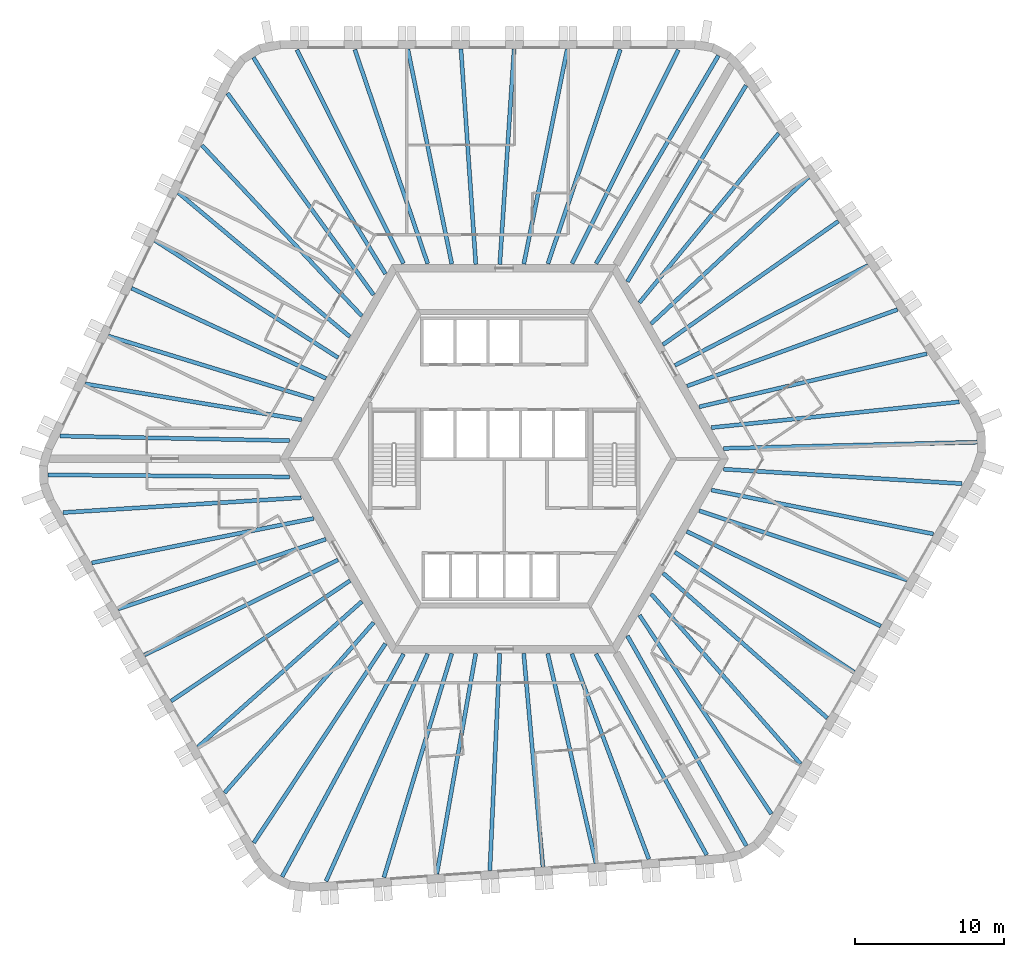
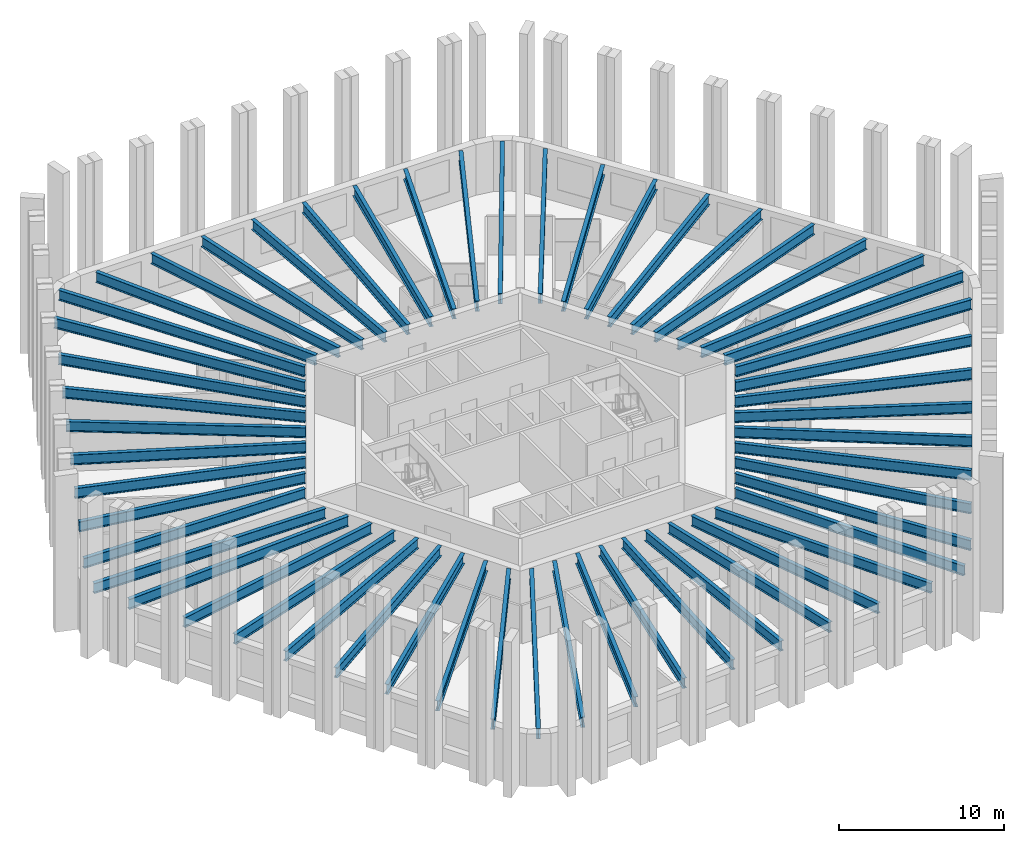
# One storey, part 1 of 10: 54 beams.
"""IFC4 building model written with IfcOpenShell, lengths in metres."""

from ifc_helpers import new_model, si_unit, direction, frame, origin, origin_2d, place, context, subcontext, project, spatial, i_section, extrude, material, material_profile, profile_set, type_object, element, save


model = new_model("IFC4")

# Units and contexts
model_context = context("Model", 3, precision=1e-05, world=origin(), true_north=direction((0.0, 1.0)))
body_context = subcontext(model_context, "Body", "Model", "MODEL_VIEW")
ifc_project = project(units=[si_unit("LENGTHUNIT", "METRE"), si_unit("AREAUNIT", "SQUARE_METRE"), si_unit("VOLUMEUNIT", "CUBIC_METRE"), si_unit("PLANEANGLEUNIT", "RADIAN"), si_unit("MASSUNIT", "GRAM", prefix="KILO")], contexts=[model_context])

# Site, building, storey
site_placement = place(None, origin())
site = spatial("IfcSite", under=ifc_project, at=site_placement, CompositionType="ELEMENT")
building_placement = place(site_placement, origin())
building = spatial("IfcBuilding", under=site, at=building_placement, Name="Tarnside Tower", CompositionType="ELEMENT")
storey_placement = place(building_placement, frame((0.0, 0.0, 238.5)))
storey = spatial("IfcBuildingStorey", under=building, at=storey_placement, Name="L57", CompositionType="ELEMENT", Elevation=238.5)

# Beams
ifc_material = material(Name="Steel S355", Category="steel")
ifc_material_profile_1 = material_profile(ifc_material, i_section(OverallWidth=0.26513671875, OverallDepth=0.75390625, WebThickness=0.0126953125, FlangeThickness=0.017578125, FilletRadius=0.0166015625, at=origin_2d()), Name="UB 762x267x147")
ifc_profile_set_1 = profile_set([ifc_material_profile_1], Name="Steel S355")
beam_type_1 = type_object("IfcBeamType", Name="Floor beam UB 762x267x147", PredefinedType="BEAM", material=ifc_profile_set_1)
beam_1_placement = place(storey_placement, frame((7.77001953125, 27.393310546875, 3.373046875), z_axis=(-0.320362579778, -0.947295000239, 0.0), x_axis=(0.947295000239, -0.320362579778, 0.0)))
element("IfcBeam", 1, at=beam_1_placement, inside=storey, type_object=beam_type_1, Name="Floor beam F1.02", PredefinedType="BEAM", context=body_context, shape_type="SweptSolid", body=[
    extrude(i_section(OverallWidth=0.26513671875, OverallDepth=0.75390625, WebThickness=0.0126953125, FlangeThickness=0.017578125, FilletRadius=0.0166015625, at=origin_2d()), origin(), (0.0, 0.0, 1.0), 15.134033203125),
])
beam_2_placement = place(storey_placement, frame((4.218505859375, 27.410888671875, 3.373046875), z_axis=(-0.19841777413, -0.980117537293, 0.0), x_axis=(0.980117537293, -0.19841777413, 0.0)))
element("IfcBeam", 2, at=beam_2_placement, inside=storey, type_object=beam_type_1, Name="Floor beam F1.03", PredefinedType="BEAM", context=body_context, shape_type="SweptSolid", body=[
    extrude(i_section(OverallWidth=0.26513671875, OverallDepth=0.75390625, WebThickness=0.0126953125, FlangeThickness=0.017578125, FilletRadius=0.0166015625, at=origin_2d()), origin(), (0.0, 0.0, 1.0), 14.6630859375),
])
beam_3_placement = place(storey_placement, frame((0.66259765625, 27.429931640625, 3.373046875), z_axis=(-0.066554914868, -0.997782763585, 0.0), x_axis=(0.997782763585, -0.066554914868, 0.0)))
element("IfcBeam", 3, at=beam_3_placement, inside=storey, type_object=beam_type_1, Name="Floor beam F1.04", PredefinedType="BEAM", context=body_context, shape_type="SweptSolid", body=[
    extrude(i_section(OverallWidth=0.26513671875, OverallDepth=0.75390625, WebThickness=0.0126953125, FlangeThickness=0.017578125, FilletRadius=0.0166015625, at=origin_2d()), origin(), (0.0, 0.0, 1.0), 14.44189453125),
])
beam_4_placement = place(storey_placement, frame((-2.8974609375, 27.429931640625, 3.373046875), z_axis=(0.068876921658, -0.997625164911, 0.0), x_axis=(0.997625164911, 0.068876921658, 0.0)))
element("IfcBeam", 4, at=beam_4_placement, inside=storey, type_object=beam_type_1, Name="Floor beam F1.05", PredefinedType="BEAM", context=body_context, shape_type="SweptSolid", body=[
    extrude(i_section(OverallWidth=0.26513671875, OverallDepth=0.75390625, WebThickness=0.0126953125, FlangeThickness=0.017578125, FilletRadius=0.0166015625, at=origin_2d()), origin(), (0.0, 0.0, 1.0), 14.4443359375),
])
beam_5_placement = place(storey_placement, frame((-6.45361328125, 27.410888671875, 3.373046875), z_axis=(0.200623497398, -0.979668419564, 0.0), x_axis=(0.979668419564, 0.200623497398, 0.0)))
element("IfcBeam", 5, at=beam_5_placement, inside=storey, type_object=beam_type_1, Name="Floor beam F1.06", PredefinedType="BEAM", context=body_context, shape_type="SweptSolid", body=[
    extrude(i_section(OverallWidth=0.26513671875, OverallDepth=0.75390625, WebThickness=0.0126953125, FlangeThickness=0.017578125, FilletRadius=0.0166015625, at=origin_2d()), origin(), (0.0, 0.0, 1.0), 14.669921875),
])
beam_6_placement = place(storey_placement, frame((-10.0048828125, 27.393310546875, 3.373046875), z_axis=(0.322343712034, -0.946622697442, 0.0), x_axis=(0.946622697442, 0.322343712034, 0.0)))
element("IfcBeam", 6, at=beam_6_placement, inside=storey, type_object=beam_type_1, Name="Floor beam F1.07", PredefinedType="BEAM", context=body_context, shape_type="SweptSolid", body=[
    extrude(i_section(OverallWidth=0.26513671875, OverallDepth=0.75390625, WebThickness=0.0126953125, FlangeThickness=0.017578125, FilletRadius=0.0166015625, at=origin_2d()), origin(), (0.0, 0.0, 1.0), 15.144775390625),
])
beam_7_placement = place(storey_placement, frame((-20.241455078125, 20.9892578125, 3.373046875), z_axis=(0.683752330283, -0.729714156936, 0.0), x_axis=(0.729714156936, 0.683752330283, 0.0)))
element("IfcBeam", 7, at=beam_7_placement, inside=storey, type_object=beam_type_1, Name="Floor beam F2.02", PredefinedType="BEAM", context=body_context, shape_type="SweptSolid", body=[
    extrude(i_section(OverallWidth=0.26513671875, OverallDepth=0.75390625, WebThickness=0.0126953125, FlangeThickness=0.017578125, FilletRadius=0.0166015625, at=origin_2d()), origin(), (0.0, 0.0, 1.0), 15.6591796875),
])
beam_8_placement = place(storey_placement, frame((-21.81396484375, 17.80419921875, 3.373046875), z_axis=(0.765948461073, -0.642901979294, 0.0), x_axis=(0.642901979294, 0.765948461073, 0.0)))
element("IfcBeam", 8, at=beam_8_placement, inside=storey, type_object=beam_type_1, Name="Floor beam F2.03", PredefinedType="BEAM", context=body_context, shape_type="SweptSolid", body=[
    extrude(i_section(OverallWidth=0.26513671875, OverallDepth=0.75390625, WebThickness=0.0126953125, FlangeThickness=0.017578125, FilletRadius=0.0166015625, at=origin_2d()), origin(), (0.0, 0.0, 1.0), 14.982177734375),
])
beam_9_placement = place(storey_placement, frame((-23.389892578125, 14.616455078125, 3.373046875), z_axis=(0.842378275633, -0.538886667808, 0.0), x_axis=(0.538886667808, 0.842378275633, 0.0)))
element("IfcBeam", 9, at=beam_9_placement, inside=storey, type_object=beam_type_1, Name="Floor beam F2.04", PredefinedType="BEAM", context=body_context, shape_type="SweptSolid", body=[
    extrude(i_section(OverallWidth=0.26513671875, OverallDepth=0.75390625, WebThickness=0.0126953125, FlangeThickness=0.017578125, FilletRadius=0.0166015625, at=origin_2d()), origin(), (0.0, 0.0, 1.0), 14.5595703125),
])
beam_10_placement = place(storey_placement, frame((-24.9501953125, 11.416748046875, 3.373046875), z_axis=(0.907310131748, -0.420462037321, 0.0), x_axis=(0.420462037321, 0.907310131748, 0.0)))
element("IfcBeam", 10, at=beam_10_placement, inside=storey, type_object=beam_type_1, Name="Floor beam F2.05", PredefinedType="BEAM", context=body_context, shape_type="SweptSolid", body=[
    extrude(i_section(OverallWidth=0.26513671875, OverallDepth=0.75390625, WebThickness=0.0126953125, FlangeThickness=0.017578125, FilletRadius=0.0166015625, at=origin_2d()), origin(), (0.0, 0.0, 1.0), 14.353515625),
])
beam_11_placement = place(storey_placement, frame((-26.510986328125, 8.2177734375, 3.373046875), z_axis=(0.956073348261, -0.293127536654, 0.0), x_axis=(0.293127536654, 0.956073348261, 0.0)))
element("IfcBeam", 11, at=beam_11_placement, inside=storey, type_object=beam_type_1, Name="Floor beam F2.06", PredefinedType="BEAM", context=body_context, shape_type="SweptSolid", body=[
    extrude(i_section(OverallWidth=0.26513671875, OverallDepth=0.75390625, WebThickness=0.0126953125, FlangeThickness=0.017578125, FilletRadius=0.0166015625, at=origin_2d()), origin(), (0.0, 0.0, 1.0), 14.3955078125),
])
beam_12_placement = place(storey_placement, frame((-28.0517578125, 5.015869140625, 3.373046875), z_axis=(0.986476498304, -0.163902770858, 0.0), x_axis=(0.163902770858, 0.986476498304, 0.0)))
element("IfcBeam", 12, at=beam_12_placement, inside=storey, type_object=beam_type_1, Name="Floor beam F2.07", PredefinedType="BEAM", context=body_context, shape_type="SweptSolid", body=[
    extrude(i_section(OverallWidth=0.26513671875, OverallDepth=0.75390625, WebThickness=0.0126953125, FlangeThickness=0.017578125, FilletRadius=0.0166015625, at=origin_2d()), origin(), (0.0, 0.0, 1.0), 14.680908203125),
])
beam_13_placement = place(storey_placement, frame((-29.73828125, 1.521484375, 3.373046875), z_axis=(0.999800142641, -0.019991867701, 0.0), x_axis=(0.019991867701, 0.999800142641, 0.0)))
element("IfcBeam", 13, at=beam_13_placement, inside=storey, type_object=beam_type_1, Name="Floor beam F2.08", PredefinedType="BEAM", context=body_context, shape_type="SweptSolid", body=[
    extrude(i_section(OverallWidth=0.26513671875, OverallDepth=0.75390625, WebThickness=0.0126953125, FlangeThickness=0.017578125, FilletRadius=0.0166015625, at=origin_2d()), origin(), (0.0, 0.0, 1.0), 15.3505859375),
])
beam_14_placement = place(storey_placement, frame((-27.608154296875, -6.967529296875, 3.373046875), z_axis=(0.980564540422, 0.196196794232, 0.0), x_axis=(-0.196196794232, 0.980564540422, 0.0)))
element("IfcBeam", 14, at=beam_14_placement, inside=storey, type_object=beam_type_1, Name="Floor beam F3.02", PredefinedType="BEAM", context=body_context, shape_type="SweptSolid", body=[
    extrude(i_section(OverallWidth=0.26513671875, OverallDepth=0.75390625, WebThickness=0.0126953125, FlangeThickness=0.017578125, FilletRadius=0.0166015625, at=origin_2d()), origin(), (0.0, 0.0, 1.0), 15.134033203125),
])
beam_15_placement = place(storey_placement, frame((-25.84765625, -10.052001953125, 3.373046875), z_axis=(0.948011835322, 0.31823507049, 0.0), x_axis=(-0.31823507049, 0.948011835322, 0.0)))
element("IfcBeam", 15, at=beam_15_placement, inside=storey, type_object=beam_type_1, Name="Floor beam F3.03", PredefinedType="BEAM", context=body_context, shape_type="SweptSolid", body=[
    extrude(i_section(OverallWidth=0.26513671875, OverallDepth=0.75390625, WebThickness=0.0126953125, FlangeThickness=0.017578125, FilletRadius=0.0166015625, at=origin_2d()), origin(), (0.0, 0.0, 1.0), 14.662841796875),
])
beam_16_placement = place(storey_placement, frame((-24.086181640625, -13.141357421875, 3.373046875), z_axis=(0.897375974806, 0.441266767206, 0.0), x_axis=(-0.441266767206, 0.897375974806, 0.0)))
element("IfcBeam", 16, at=beam_16_placement, inside=storey, type_object=beam_type_1, Name="Floor beam F3.04", PredefinedType="BEAM", context=body_context, shape_type="SweptSolid", body=[
    extrude(i_section(OverallWidth=0.26513671875, OverallDepth=0.75390625, WebThickness=0.0126953125, FlangeThickness=0.017578125, FilletRadius=0.0166015625, at=origin_2d()), origin(), (0.0, 0.0, 1.0), 14.442138671875),
])
beam_17_placement = place(storey_placement, frame((-22.306396484375, -16.224365234375, 3.373046875), z_axis=(0.829532486243, 0.558458462437, 0.0), x_axis=(-0.558458462437, 0.829532486243, 0.0)))
element("IfcBeam", 17, at=beam_17_placement, inside=storey, type_object=beam_type_1, Name="Floor beam F3.05", PredefinedType="BEAM", context=body_context, shape_type="SweptSolid", body=[
    extrude(i_section(OverallWidth=0.26513671875, OverallDepth=0.75390625, WebThickness=0.0126953125, FlangeThickness=0.017578125, FilletRadius=0.0166015625, at=origin_2d()), origin(), (0.0, 0.0, 1.0), 14.444580078125),
])
beam_18_placement = place(storey_placement, frame((-20.51171875, -19.294189453125, 3.373046875), z_axis=(0.74811408094, 0.663570133369, 0.0), x_axis=(-0.663570133369, 0.74811408094, 0.0)))
element("IfcBeam", 18, at=beam_18_placement, inside=storey, type_object=beam_type_1, Name="Floor beam F3.06", PredefinedType="BEAM", context=body_context, shape_type="SweptSolid", body=[
    extrude(i_section(OverallWidth=0.26513671875, OverallDepth=0.75390625, WebThickness=0.0126953125, FlangeThickness=0.017578125, FilletRadius=0.0166015625, at=origin_2d()), origin(), (0.0, 0.0, 1.0), 14.669677734375),
])
beam_19_placement = place(storey_placement, frame((-18.720703125, -22.361083984375, 3.373046875), z_axis=(0.658621010302, 0.752474826681, 0.0), x_axis=(-0.752474826681, 0.658621010302, 0.0)))
element("IfcBeam", 19, at=beam_19_placement, inside=storey, type_object=beam_type_1, Name="Floor beam F3.07", PredefinedType="BEAM", context=body_context, shape_type="SweptSolid", body=[
    extrude(i_section(OverallWidth=0.26513671875, OverallDepth=0.75390625, WebThickness=0.0126953125, FlangeThickness=0.017578125, FilletRadius=0.0166015625, at=origin_2d()), origin(), (0.0, 0.0, 1.0), 15.144775390625),
])
beam_20_placement = place(storey_placement, frame((-8.056396484375, -28.024169921875, 3.373046875), z_axis=(0.290070138838, 0.957005388989, 0.0), x_axis=(-0.957005388989, 0.290070138838, 0.0)))
element("IfcBeam", 20, at=beam_20_placement, inside=storey, type_object=beam_type_1, Name="Floor beam F4.02", PredefinedType="BEAM", context=body_context, shape_type="SweptSolid", body=[
    extrude(i_section(OverallWidth=0.26513671875, OverallDepth=0.75390625, WebThickness=0.0126953125, FlangeThickness=0.017578125, FilletRadius=0.0166015625, at=origin_2d()), origin(), (0.0, 0.0, 1.0), 15.6591796875),
])
beam_21_placement = place(storey_placement, frame((-4.511962890625, -27.793701171875, 3.373046875), z_axis=(0.173788122681, 0.984783066678, 0.0), x_axis=(-0.984783066678, 0.173788122681, 0.0)))
element("IfcBeam", 21, at=beam_21_placement, inside=storey, type_object=beam_type_1, Name="Floor beam F4.03", PredefinedType="BEAM", context=body_context, shape_type="SweptSolid", body=[
    extrude(i_section(OverallWidth=0.26513671875, OverallDepth=0.75390625, WebThickness=0.0126953125, FlangeThickness=0.017578125, FilletRadius=0.0166015625, at=origin_2d()), origin(), (0.0, 0.0, 1.0), 14.982421875),
])
beam_22_placement = place(storey_placement, frame((-0.96337890625, -27.564453125, 3.373046875), z_axis=(0.045509585226, 0.998963902077, 0.0), x_axis=(-0.998963902077, 0.045509585226, 0.0)))
element("IfcBeam", 22, at=beam_22_placement, inside=storey, type_object=beam_type_1, Name="Floor beam F4.04", PredefinedType="BEAM", context=body_context, shape_type="SweptSolid", body=[
    extrude(i_section(OverallWidth=0.26513671875, OverallDepth=0.75390625, WebThickness=0.0126953125, FlangeThickness=0.017578125, FilletRadius=0.0166015625, at=origin_2d()), origin(), (0.0, 0.0, 1.0), 14.5595703125),
])
beam_23_placement = place(storey_placement, frame((2.587890625, -27.31591796875, 3.373046875), z_axis=(-0.089518916897, 0.995985122137, 0.0), x_axis=(-0.995985122137, -0.089518916897, 0.0)))
element("IfcBeam", 23, at=beam_23_placement, inside=storey, type_object=beam_type_1, Name="Floor beam F4.05", PredefinedType="BEAM", context=body_context, shape_type="SweptSolid", body=[
    extrude(i_section(OverallWidth=0.26513671875, OverallDepth=0.75390625, WebThickness=0.0126953125, FlangeThickness=0.017578125, FilletRadius=0.0166015625, at=origin_2d()), origin(), (0.0, 0.0, 1.0), 14.353515625),
])
beam_24_placement = place(storey_placement, frame((6.138671875, -27.068115234375, 3.373046875), z_axis=(-0.224188122435, 0.974545886944, 0.0), x_axis=(-0.974545886944, -0.224188122435, 0.0)))
element("IfcBeam", 24, at=beam_24_placement, inside=storey, type_object=beam_type_1, Name="Floor beam F4.06", PredefinedType="BEAM", context=body_context, shape_type="SweptSolid", body=[
    extrude(i_section(OverallWidth=0.26513671875, OverallDepth=0.75390625, WebThickness=0.0126953125, FlangeThickness=0.017578125, FilletRadius=0.0166015625, at=origin_2d()), origin(), (0.0, 0.0, 1.0), 14.3955078125),
])
beam_25_placement = place(storey_placement, frame((9.681884765625, -26.801513671875, 3.373046875), z_axis=(-0.351271055087, 0.936273809234, 0.0), x_axis=(-0.936273809234, -0.351271055087, 0.0)))
element("IfcBeam", 25, at=beam_25_placement, inside=storey, type_object=beam_type_1, Name="Floor beam F4.07", PredefinedType="BEAM", context=body_context, shape_type="SweptSolid", body=[
    extrude(i_section(OverallWidth=0.26513671875, OverallDepth=0.75390625, WebThickness=0.0126953125, FlangeThickness=0.017578125, FilletRadius=0.0166015625, at=origin_2d()), origin(), (0.0, 0.0, 1.0), 14.680908203125),
])
beam_26_placement = place(storey_placement, frame((13.551513671875, -26.514892578125, 3.373046875), z_axis=(-0.482584088089, 0.875849643445, 0.0), x_axis=(-0.875849643445, -0.482584088089, 0.0)))
element("IfcBeam", 26, at=beam_26_placement, inside=storey, type_object=beam_type_1, Name="Floor beam F4.08", PredefinedType="BEAM", context=body_context, shape_type="SweptSolid", body=[
    extrude(i_section(OverallWidth=0.26513671875, OverallDepth=0.75390625, WebThickness=0.0126953125, FlangeThickness=0.017578125, FilletRadius=0.0166015625, at=origin_2d()), origin(), (0.0, 0.0, 1.0), 15.3505859375),
])
beam_27_placement = place(storey_placement, frame((19.838134765625, -20.425537109375, 3.373046875), z_axis=(-0.660201214512, 0.751088780609, 0.0), x_axis=(-0.751088780609, -0.660201214512, 0.0)))
element("IfcBeam", 27, at=beam_27_placement, inside=storey, type_object=beam_type_1, Name="Floor beam F5.02", PredefinedType="BEAM", context=body_context, shape_type="SweptSolid", body=[
    extrude(i_section(OverallWidth=0.26513671875, OverallDepth=0.75390625, WebThickness=0.0126953125, FlangeThickness=0.017578125, FilletRadius=0.0166015625, at=origin_2d()), origin(), (0.0, 0.0, 1.0), 15.134033203125),
])
beam_28_placement = place(storey_placement, frame((21.629150390625, -17.358642578125, 3.373046875), z_axis=(-0.749601662028, 0.661889226597, 0.0), x_axis=(-0.661889226597, -0.749601662028, 0.0)))
element("IfcBeam", 28, at=beam_28_placement, inside=storey, type_object=beam_type_1, Name="Floor beam F5.03", PredefinedType="BEAM", context=body_context, shape_type="SweptSolid", body=[
    extrude(i_section(OverallWidth=0.26513671875, OverallDepth=0.75390625, WebThickness=0.0126953125, FlangeThickness=0.017578125, FilletRadius=0.0166015625, at=origin_2d()), origin(), (0.0, 0.0, 1.0), 14.6630859375),
])
beam_29_placement = place(storey_placement, frame((23.423828125, -14.288818359375, 3.373046875), z_axis=(-0.830825943553, 0.556532345439, 0.0), x_axis=(-0.556532345439, -0.830825943553, 0.0)))
element("IfcBeam", 29, at=beam_29_placement, inside=storey, type_object=beam_type_1, Name="Floor beam F5.04", PredefinedType="BEAM", context=body_context, shape_type="SweptSolid", body=[
    extrude(i_section(OverallWidth=0.26513671875, OverallDepth=0.75390625, WebThickness=0.0126953125, FlangeThickness=0.017578125, FilletRadius=0.0166015625, at=origin_2d()), origin(), (0.0, 0.0, 1.0), 14.4423828125),
])
beam_30_placement = place(storey_placement, frame((25.203857421875, -11.205810546875, 3.373046875), z_axis=(-0.898407034897, 0.43916375038, 0.0), x_axis=(-0.43916375038, -0.898407034897, 0.0)))
element("IfcBeam", 30, at=beam_30_placement, inside=storey, type_object=beam_type_1, Name="Floor beam F5.05", PredefinedType="BEAM", context=body_context, shape_type="SweptSolid", body=[
    extrude(i_section(OverallWidth=0.26513671875, OverallDepth=0.75390625, WebThickness=0.0126953125, FlangeThickness=0.017578125, FilletRadius=0.0166015625, at=origin_2d()), origin(), (0.0, 0.0, 1.0), 14.444580078125),
])
beam_31_placement = place(storey_placement, frame((26.965087890625, -8.116455078125, 3.373046875), z_axis=(-0.948728223501, 0.31609295774, 0.0), x_axis=(-0.31609295774, -0.948728223501, 0.0)))
element("IfcBeam", 31, at=beam_31_placement, inside=storey, type_object=beam_type_1, Name="Floor beam F5.06", PredefinedType="BEAM", context=body_context, shape_type="SweptSolid", body=[
    extrude(i_section(OverallWidth=0.26513671875, OverallDepth=0.75390625, WebThickness=0.0126953125, FlangeThickness=0.017578125, FilletRadius=0.0166015625, at=origin_2d()), origin(), (0.0, 0.0, 1.0), 14.669677734375),
])
beam_32_placement = place(storey_placement, frame((28.7255859375, -5.031982421875, 3.373046875), z_axis=(-0.980974250646, 0.194137888034, 0.0), x_axis=(-0.194137888034, -0.980974250646, 0.0)))
element("IfcBeam", 32, at=beam_32_placement, inside=storey, type_object=beam_type_1, Name="Floor beam F5.07", PredefinedType="BEAM", context=body_context, shape_type="SweptSolid", body=[
    extrude(i_section(OverallWidth=0.26513671875, OverallDepth=0.75390625, WebThickness=0.0126953125, FlangeThickness=0.017578125, FilletRadius=0.0166015625, at=origin_2d()), origin(), (0.0, 0.0, 1.0), 15.144775390625),
])
beam_33_placement = place(storey_placement, frame((28.2978515625, 7.034912109375, 3.373046875), z_axis=(-0.973828212928, -0.227285309042, 0.0), x_axis=(0.227285309042, -0.973828212928, 0.0)))
element("IfcBeam", 33, at=beam_33_placement, inside=storey, type_object=beam_type_1, Name="Floor beam F6.02", PredefinedType="BEAM", context=body_context, shape_type="SweptSolid", body=[
    extrude(i_section(OverallWidth=0.26513671875, OverallDepth=0.75390625, WebThickness=0.0126953125, FlangeThickness=0.017578125, FilletRadius=0.0166015625, at=origin_2d()), origin(), (0.0, 0.0, 1.0), 15.6591796875),
])
beam_34_placement = place(storey_placement, frame((26.325927734375, 9.989501953125, 3.373046875), z_axis=(-0.939738697004, -0.341893523415, 0.0), x_axis=(0.341893523415, -0.939738697004, 0.0)))
element("IfcBeam", 34, at=beam_34_placement, inside=storey, type_object=beam_type_1, Name="Floor beam F6.03", PredefinedType="BEAM", context=body_context, shape_type="SweptSolid", body=[
    extrude(i_section(OverallWidth=0.26513671875, OverallDepth=0.75390625, WebThickness=0.0126953125, FlangeThickness=0.017578125, FilletRadius=0.0166015625, at=origin_2d()), origin(), (0.0, 0.0, 1.0), 14.982177734375),
])
beam_35_placement = place(storey_placement, frame((24.353271484375, 12.947998046875, 3.373046875), z_axis=(-0.887881646639, -0.460071930856, 0.0), x_axis=(0.460071930856, -0.887881646639, 0.0)))
element("IfcBeam", 35, at=beam_35_placement, inside=storey, type_object=beam_type_1, Name="Floor beam F6.04", PredefinedType="BEAM", context=body_context, shape_type="SweptSolid", body=[
    extrude(i_section(OverallWidth=0.26513671875, OverallDepth=0.75390625, WebThickness=0.0126953125, FlangeThickness=0.017578125, FilletRadius=0.0166015625, at=origin_2d()), origin(), (0.0, 0.0, 1.0), 14.5595703125),
])
beam_36_placement = place(storey_placement, frame((22.3623046875, 15.899169921875, 3.373046875), z_axis=(-0.817791001708, -0.575515314762, 0.0), x_axis=(0.575515314762, -0.817791001708, 0.0)))
element("IfcBeam", 36, at=beam_36_placement, inside=storey, type_object=beam_type_1, Name="Floor beam F6.05", PredefinedType="BEAM", context=body_context, shape_type="SweptSolid", body=[
    extrude(i_section(OverallWidth=0.26513671875, OverallDepth=0.75390625, WebThickness=0.0126953125, FlangeThickness=0.017578125, FilletRadius=0.0166015625, at=origin_2d()), origin(), (0.0, 0.0, 1.0), 14.353759765625),
])
beam_37_placement = place(storey_placement, frame((20.372314453125, 18.850341796875, 3.373046875), z_axis=(-0.731892224456, -0.681420407517, 0.0), x_axis=(0.681420407517, -0.731892224456, 0.0)))
element("IfcBeam", 37, at=beam_37_placement, inside=storey, type_object=beam_type_1, Name="Floor beam F6.06", PredefinedType="BEAM", context=body_context, shape_type="SweptSolid", body=[
    extrude(i_section(OverallWidth=0.26513671875, OverallDepth=0.75390625, WebThickness=0.0126953125, FlangeThickness=0.017578125, FilletRadius=0.0166015625, at=origin_2d()), origin(), (0.0, 0.0, 1.0), 14.3955078125),
])
beam_38_placement = place(storey_placement, frame((18.369873046875, 21.78564453125, 3.373046875), z_axis=(-0.635191827457, -0.772354414975, 0.0), x_axis=(0.772354414975, -0.635191827457, 0.0)))
element("IfcBeam", 38, at=beam_38_placement, inside=storey, type_object=beam_type_1, Name="Floor beam F6.07", PredefinedType="BEAM", context=body_context, shape_type="SweptSolid", body=[
    extrude(i_section(OverallWidth=0.26513671875, OverallDepth=0.75390625, WebThickness=0.0126953125, FlangeThickness=0.017578125, FilletRadius=0.0166015625, at=origin_2d()), origin(), (0.0, 0.0, 1.0), 14.680908203125),
])
beam_39_placement = place(storey_placement, frame((16.186767578125, 24.993408203125, 3.373046875), z_axis=(-0.517208605106, -0.855859368591, 0.0), x_axis=(0.855859368591, -0.517208605106, 0.0)))
element("IfcBeam", 39, at=beam_39_placement, inside=storey, type_object=beam_type_1, Name="Floor beam F6.08", PredefinedType="BEAM", context=body_context, shape_type="SweptSolid", body=[
    extrude(i_section(OverallWidth=0.26513671875, OverallDepth=0.75390625, WebThickness=0.0126953125, FlangeThickness=0.017578125, FilletRadius=0.0166015625, at=origin_2d()), origin(), (0.0, 0.0, 1.0), 15.3505859375),
])
ifc_material_profile_2 = material_profile(ifc_material, i_section(OverallWidth=0.2666015625, OverallDepth=0.76220703125, WebThickness=0.014404296875, FlangeThickness=0.021484375, FilletRadius=0.0166015625, at=origin_2d()), Name="UB 762x267x173")
ifc_profile_set_2 = profile_set([ifc_material_profile_2], Name="Steel S355")
beam_type_2 = type_object("IfcBeamType", Name="Floor beam UB 762x267x173", PredefinedType="BEAM", material=ifc_profile_set_2)
beam_40_placement = place(storey_placement, frame((11.6494140625, 27.37841796875, 3.368896484375), z_axis=(-0.445042310328, -0.895509543231, 0.0), x_axis=(0.895509543231, -0.445042310328, 0.0)))
element("IfcBeam", 40, at=beam_40_placement, inside=storey, type_object=beam_type_2, Name="Floor beam F1.01", PredefinedType="BEAM", context=body_context, shape_type="SweptSolid", body=[
    extrude(i_section(OverallWidth=0.2666015625, OverallDepth=0.76220703125, WebThickness=0.014404296875, FlangeThickness=0.021484375, FilletRadius=0.0166015625, at=origin_2d()), origin(), (0.0, 0.0, 1.0), 15.976318359375),
])
beam_41_placement = place(storey_placement, frame((-13.884521484375, 27.37841796875, 3.368896484375), z_axis=(0.44673108957, -0.894668281326, 0.0), x_axis=(0.894668281326, 0.44673108957, 0.0)))
element("IfcBeam", 41, at=beam_41_placement, inside=storey, type_object=beam_type_2, Name="Floor beam F1.08", PredefinedType="BEAM", context=body_context, shape_type="SweptSolid", body=[
    extrude(i_section(OverallWidth=0.2666015625, OverallDepth=0.76220703125, WebThickness=0.014404296875, FlangeThickness=0.021484375, FilletRadius=0.0166015625, at=origin_2d()), origin(), (0.0, 0.0, 1.0), 15.9912109375),
])
beam_42_placement = place(storey_placement, frame((-16.79345703125, 26.86962890625, 3.368896484375), z_axis=(0.520940467881, -0.853593011291, 0.0), x_axis=(0.853593011291, 0.520940467881, 0.0)))
element("IfcBeam", 42, at=beam_42_placement, inside=storey, type_object=beam_type_2, Name="Floor beam C1", PredefinedType="BEAM", context=body_context, shape_type="SweptSolid", body=[
    extrude(i_section(OverallWidth=0.2666015625, OverallDepth=0.76220703125, WebThickness=0.014404296875, FlangeThickness=0.021484375, FilletRadius=0.0166015625, at=origin_2d()), origin(), (0.0, 0.0, 1.0), 16.980712890625),
])
beam_43_placement = place(storey_placement, frame((-18.52685546875, 24.471435546875, 3.368896484375), z_axis=(0.586791943415, -0.80973774467, 0.0), x_axis=(0.80973774467, 0.586791943415, 0.0)))
element("IfcBeam", 43, at=beam_43_placement, inside=storey, type_object=beam_type_2, Name="Floor beam F2.01", PredefinedType="BEAM", context=body_context, shape_type="SweptSolid", body=[
    extrude(i_section(OverallWidth=0.2666015625, OverallDepth=0.76220703125, WebThickness=0.014404296875, FlangeThickness=0.021484375, FilletRadius=0.0166015625, at=origin_2d()), origin(), (0.0, 0.0, 1.0), 16.67578125),
])
beam_44_placement = place(storey_placement, frame((-30.543212890625, -1.079345703125, 3.368896484375), z_axis=(0.999966072652, -0.008237326324, 0.0), x_axis=(0.008237326324, 0.999966072652, 0.0)))
element("IfcBeam", 44, at=beam_44_placement, inside=storey, type_object=beam_type_2, Name="Floor beam C2", PredefinedType="BEAM", context=body_context, shape_type="SweptSolid", body=[
    extrude(i_section(OverallWidth=0.2666015625, OverallDepth=0.76220703125, WebThickness=0.014404296875, FlangeThickness=0.021484375, FilletRadius=0.0166015625, at=origin_2d()), origin(), (0.0, 0.0, 1.0), 16.15283203125),
])
beam_45_placement = place(storey_placement, frame((-29.534912109375, -3.6005859375, 3.368896484375), z_axis=(0.99805531279, 0.062334521832, 0.0), x_axis=(-0.062334521832, 0.99805531279, 0.0)))
element("IfcBeam", 45, at=beam_45_placement, inside=storey, type_object=beam_type_2, Name="Floor beam F3.01", PredefinedType="BEAM", context=body_context, shape_type="SweptSolid", body=[
    extrude(i_section(OverallWidth=0.2666015625, OverallDepth=0.76220703125, WebThickness=0.014404296875, FlangeThickness=0.021484375, FilletRadius=0.0166015625, at=origin_2d()), origin(), (0.0, 0.0, 1.0), 15.975830078125),
])
beam_46_placement = place(storey_placement, frame((-16.768310546875, -25.71337890625, 3.368896484375), z_axis=(0.551447600123, 0.834209532623, 0.0), x_axis=(-0.834209532623, 0.551447600123, 0.0)))
element("IfcBeam", 46, at=beam_46_placement, inside=storey, type_object=beam_type_2, Name="Floor beam F3.08", PredefinedType="BEAM", context=body_context, shape_type="SweptSolid", body=[
    extrude(i_section(OverallWidth=0.2666015625, OverallDepth=0.76220703125, WebThickness=0.014404296875, FlangeThickness=0.021484375, FilletRadius=0.0166015625, at=origin_2d()), origin(), (0.0, 0.0, 1.0), 15.9912109375),
])
beam_47_placement = place(storey_placement, frame((-14.873046875, -27.978515625, 3.368896484375), z_axis=(0.478767512404, 0.877941723047, 0.0), x_axis=(-0.877941723047, 0.478767512404, 0.0)))
element("IfcBeam", 47, at=beam_47_placement, inside=storey, type_object=beam_type_2, Name="Floor beam C3", PredefinedType="BEAM", context=body_context, shape_type="SweptSolid", body=[
    extrude(i_section(OverallWidth=0.2666015625, OverallDepth=0.76220703125, WebThickness=0.014404296875, FlangeThickness=0.021484375, FilletRadius=0.0166015625, at=origin_2d()), origin(), (0.0, 0.0, 1.0), 16.98095703125),
])
beam_48_placement = place(storey_placement, frame((-11.929443359375, -28.280517578125, 3.368896484375), z_axis=(0.407852035629, 0.913048036542, 0.0), x_axis=(-0.913048036542, 0.407852035629, 0.0)))
element("IfcBeam", 48, at=beam_48_placement, inside=storey, type_object=beam_type_2, Name="Floor beam F4.01", PredefinedType="BEAM", context=body_context, shape_type="SweptSolid", body=[
    extrude(i_section(OverallWidth=0.2666015625, OverallDepth=0.76220703125, WebThickness=0.014404296875, FlangeThickness=0.021484375, FilletRadius=0.0166015625, at=origin_2d()), origin(), (0.0, 0.0, 1.0), 16.67578125),
])
beam_49_placement = place(storey_placement, frame((16.206298828125, -25.91162109375, 3.368896484375), z_axis=(-0.492847437034, 0.870115741616, 0.0), x_axis=(-0.870115741616, -0.492847437034, 0.0)))
element("IfcBeam", 49, at=beam_49_placement, inside=storey, type_object=beam_type_2, Name="Floor beam C4", PredefinedType="BEAM", context=body_context, shape_type="SweptSolid", body=[
    extrude(i_section(OverallWidth=0.2666015625, OverallDepth=0.76220703125, WebThickness=0.014404296875, FlangeThickness=0.021484375, FilletRadius=0.0166015625, at=origin_2d()), origin(), (0.0, 0.0, 1.0), 16.15283203125),
])
beam_50_placement = place(storey_placement, frame((17.8857421875, -23.77783203125, 3.368896484375), z_axis=(-0.553013371197, 0.833172377889, 0.0), x_axis=(-0.833172377889, -0.553013371197, 0.0)))
element("IfcBeam", 50, at=beam_50_placement, inside=storey, type_object=beam_type_2, Name="Floor beam F5.01", PredefinedType="BEAM", context=body_context, shape_type="SweptSolid", body=[
    extrude(i_section(OverallWidth=0.2666015625, OverallDepth=0.76220703125, WebThickness=0.014404296875, FlangeThickness=0.021484375, FilletRadius=0.0166015625, at=origin_2d()), origin(), (0.0, 0.0, 1.0), 15.97607421875),
])
beam_51_placement = place(storey_placement, frame((30.652587890625, -1.6650390625, 3.368896484375), z_axis=(-0.998170730858, 0.060458184371, 0.0), x_axis=(-0.060458184371, -0.998170730858, 0.0)))
element("IfcBeam", 51, at=beam_51_placement, inside=storey, type_object=beam_type_2, Name="Floor beam F5.08", PredefinedType="BEAM", context=body_context, shape_type="SweptSolid", body=[
    extrude(i_section(OverallWidth=0.2666015625, OverallDepth=0.76220703125, WebThickness=0.014404296875, FlangeThickness=0.021484375, FilletRadius=0.0166015625, at=origin_2d()), origin(), (0.0, 0.0, 1.0), 15.9912109375),
])
beam_52_placement = place(storey_placement, frame((31.66650390625, 1.108642578125, 3.368896484375), z_axis=(-0.999703706976, -0.024341287118, 0.0), x_axis=(0.024341287118, -0.999703706976, 0.0)))
element("IfcBeam", 52, at=beam_52_placement, inside=storey, type_object=beam_type_2, Name="Floor beam C5", PredefinedType="BEAM", context=body_context, shape_type="SweptSolid", body=[
    extrude(i_section(OverallWidth=0.2666015625, OverallDepth=0.76220703125, WebThickness=0.014404296875, FlangeThickness=0.021484375, FilletRadius=0.0166015625, at=origin_2d()), origin(), (0.0, 0.0, 1.0), 16.980712890625),
])
beam_53_placement = place(storey_placement, frame((30.456298828125, 3.80908203125, 3.368896484375), z_axis=(-0.994648352349, -0.103318222829, 0.0), x_axis=(0.103318222829, -0.994648352349, 0.0)))
element("IfcBeam", 53, at=beam_53_placement, inside=storey, type_object=beam_type_2, Name="Floor beam F6.01", PredefinedType="BEAM", context=body_context, shape_type="SweptSolid", body=[
    extrude(i_section(OverallWidth=0.2666015625, OverallDepth=0.76220703125, WebThickness=0.014404296875, FlangeThickness=0.021484375, FilletRadius=0.0166015625, at=origin_2d()), origin(), (0.0, 0.0, 1.0), 16.67578125),
])
beam_54_placement = place(storey_placement, frame((14.3369140625, 26.990966796875, 3.368896484375), z_axis=(-0.507115238706, -0.861878259775, 0.0), x_axis=(0.861878259775, -0.507115238706, 0.0)))
element("IfcBeam", 54, at=beam_54_placement, inside=storey, type_object=beam_type_2, Name="Floor beam C6", PredefinedType="BEAM", context=body_context, shape_type="SweptSolid", body=[
    extrude(i_section(OverallWidth=0.2666015625, OverallDepth=0.76220703125, WebThickness=0.014404296875, FlangeThickness=0.021484375, FilletRadius=0.0166015625, at=origin_2d()), origin(), (0.0, 0.0, 1.0), 16.15283203125),
])

save(model, "model.ifc")
